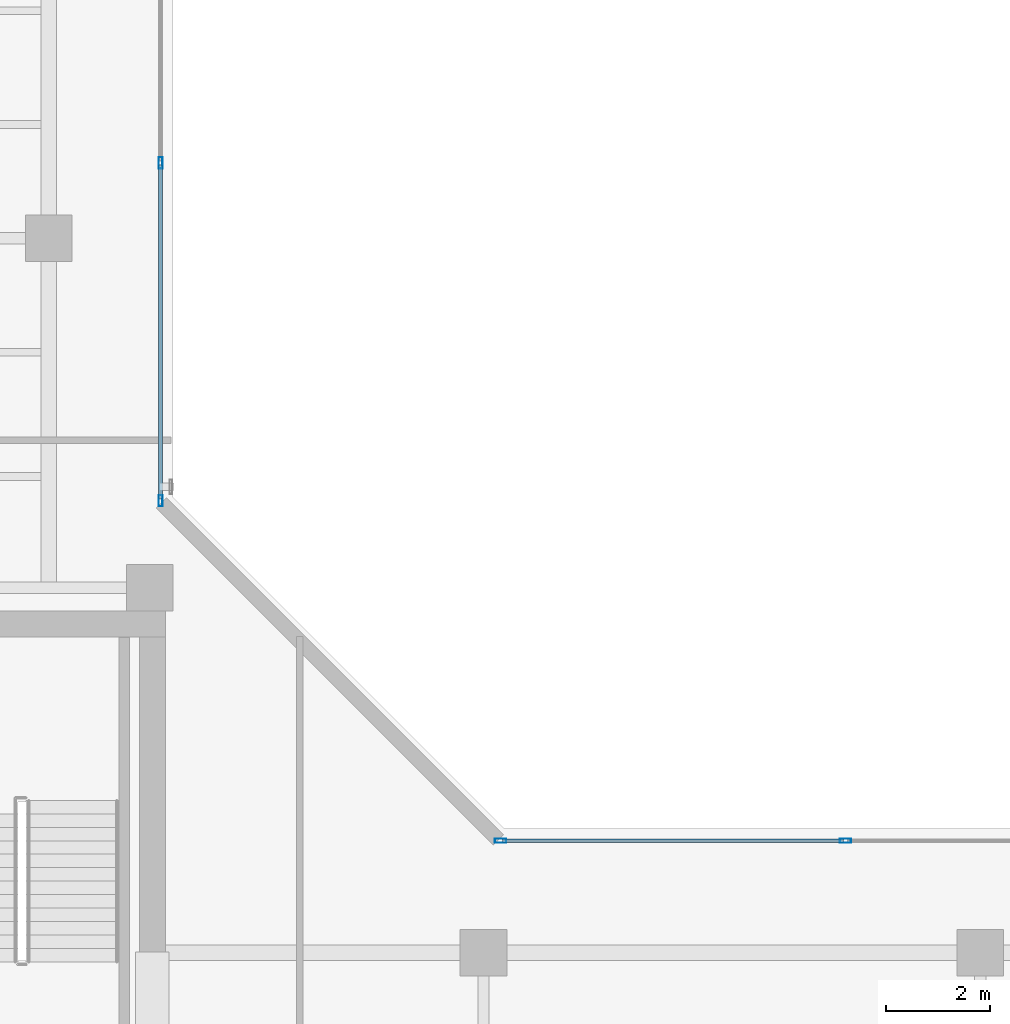
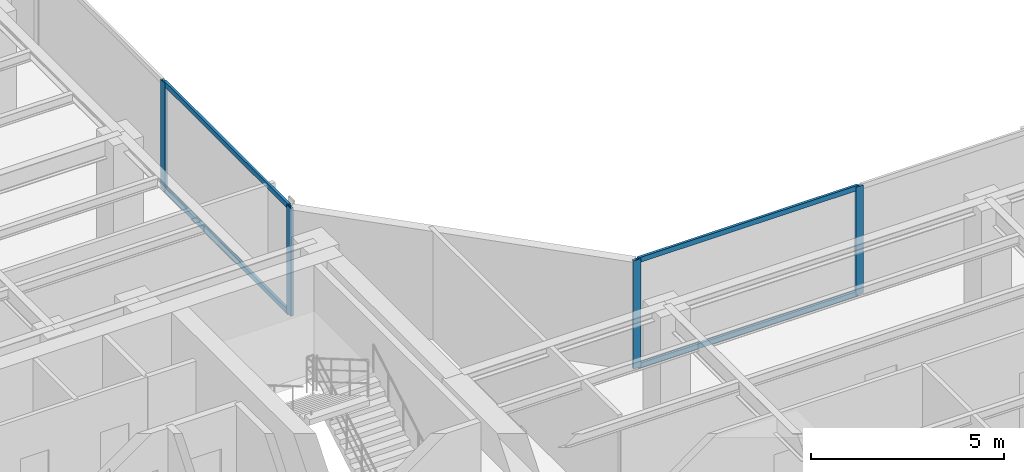
# One storey, part 9 of 23: 8 members, 2 elements without a shape of their own.
"""IFC4 building model written with IfcOpenShell, lengths in metres."""

from ifc_helpers import new_model, si_unit, direction, frame, origin, origin_with_axes, origin_2d, place, context, subcontext, project, spatial, hollow_rectangle, extrude, source, transform, mapped, material, layer, layer_set, material_profile, profile_set, type_object, element, aggregate, save


model = new_model("IFC4")

# Units and contexts
model_context = context("Model", 3, precision=1e-05, world=origin(), true_north=direction((0.0, 1.0)))
body_context = subcontext(model_context, "Body", "Model", "MODEL_VIEW")
ifc_project = project(units=[si_unit("LENGTHUNIT", "METRE"), si_unit("AREAUNIT", "SQUARE_METRE"), si_unit("VOLUMEUNIT", "CUBIC_METRE"), si_unit("PLANEANGLEUNIT", "RADIAN"), si_unit("MASSUNIT", "GRAM", prefix="KILO")], contexts=[model_context])

# Site, building, storey
site_placement = place(None, origin())
site = spatial("IfcSite", under=ifc_project, at=site_placement, CompositionType="ELEMENT")
building_placement = place(site_placement, origin())
building = spatial("IfcBuilding", under=site, at=building_placement, Name="Kolvaren Waterfront Exchange", CompositionType="ELEMENT")
storey_placement = place(building_placement, frame((0.0, 0.0, 335.0)))
storey = spatial("IfcBuildingStorey", under=building, at=storey_placement, Name="L86", CompositionType="ELEMENT", Elevation=335.0)

# Curtain wall, members
ifc_material_1 = material(Name="Anodised bronze aluminium 6063-T6", Category="aluminium")
ifc_layer = layer(ifc_material_1, 0.219970703125, Name="Anodised bronze aluminium 6063-T6")
ifc_layer_set = layer_set([ifc_layer], Name="Anodised bronze aluminium 6063-T6")
curtain_wall_type = type_object("IfcCurtainWallType", Name="ARC-CW-SYS1", PredefinedType="USERDEFINED", material=ifc_layer_set)
curtain_wall_1_placement = place(storey_placement, origin())
curtain_wall_1 = element("IfcCurtainWall", 1, at=curtain_wall_1_placement, inside=storey, type_object=curtain_wall_type, Name="L86 stick curtain wall CW1 (CW-L86-NE)", ObjectType="STICK CURTAIN WALL", PredefinedType="USERDEFINED")
ifc_material_2 = material(Name="Anodised aluminium 6063-T6", Category="aluminium")
ifc_material_profile_1 = material_profile(ifc_material_2, hollow_rectangle(XDim=0.080078125, YDim=0.219970703125, WallThickness=0.0048828125, at=origin_2d()), Name="ALU-MUL-220x80x5")
ifc_profile_set_1 = profile_set([ifc_material_profile_1], Name="Anodised aluminium 6063-T6")
member_type_1 = type_object("IfcMemberType", Name="ARC-CWM-220", PredefinedType="MULLION", material=ifc_profile_set_1)
shared_shape_1 = source(origin_with_axes(), body_context, "Body", "SweptSolid", [
    extrude(hollow_rectangle(XDim=0.080078125, YDim=0.219970703125, WallThickness=0.0048828125, at=origin_2d()), origin(), (0.0, 0.0, 1.0), 3.419921875),
])
member_1_placement = place(storey_placement, frame((20.9599609375, 26.1298828125, 0.0), z_axis=(0.0, 0.0, 1.0), x_axis=(-1.0, 0.0, 0.0)))
member_1 = element("IfcMember", 2, at=member_1_placement, type_object=member_type_1, Name="CW1 mullion 1", PredefinedType="MULLION", context=body_context, shape_type="MappedRepresentation", body=[
    mapped(shared_shape_1, transform((0.0, 0.0, 0.0), x_axis=(1.0, 0.0, 0.0), y_axis=(0.0, 1.0, 0.0), z_axis=(0.0, 0.0, 1.0), scale=1.0)),
])
member_2_placement = place(storey_placement, frame((20.9599609375, 32.659912109375, 0.0), z_axis=(0.0, 0.0, 1.0), x_axis=(-1.0, 0.0, 0.0)))
member_2 = element("IfcMember", 3, at=member_2_placement, type_object=member_type_1, Name="CW1 mullion 2", PredefinedType="MULLION", context=body_context, shape_type="MappedRepresentation", body=[
    mapped(shared_shape_1, transform((0.0, 0.0, 0.0), x_axis=(1.0, 0.0, 0.0), y_axis=(0.0, 1.0, 0.0), z_axis=(0.0, 0.0, 1.0), scale=1.0)),
])

curtain_wall_2_placement = place(storey_placement, origin())
curtain_wall_2 = element("IfcCurtainWall", 4, at=curtain_wall_2_placement, inside=storey, type_object=curtain_wall_type, Name="L86 stick curtain wall CW1 (CW-L86-EN)", ObjectType="STICK CURTAIN WALL", PredefinedType="USERDEFINED")
member_3_placement = place(storey_placement, frame((27.530029296875, 19.56005859375, 0.0), z_axis=(0.0, 0.0, 1.0), x_axis=(0.0, 1.0, 0.0)))
member_3 = element("IfcMember", 5, at=member_3_placement, type_object=member_type_1, Name="CW1 mullion 1", PredefinedType="MULLION", context=body_context, shape_type="MappedRepresentation", body=[
    mapped(shared_shape_1, transform((0.0, 0.0, 0.0), x_axis=(1.0, 0.0, 0.0), y_axis=(0.0, 1.0, 0.0), z_axis=(0.0, 0.0, 1.0), scale=1.0)),
])
member_4_placement = place(storey_placement, frame((34.193359375, 19.56005859375, 0.0), z_axis=(0.0, 0.0, 1.0), x_axis=(0.0, 1.0, 0.0)))
member_4 = element("IfcMember", 6, at=member_4_placement, type_object=member_type_1, Name="CW1 mullion 2", PredefinedType="MULLION", context=body_context, shape_type="MappedRepresentation", body=[
    mapped(shared_shape_1, transform((0.0, 0.0, 0.0), x_axis=(1.0, 0.0, 0.0), y_axis=(0.0, 1.0, 0.0), z_axis=(0.0, 0.0, 1.0), scale=1.0)),
])

# Member
ifc_material_profile_2 = material_profile(ifc_material_2, hollow_rectangle(XDim=0.074951171875, YDim=0.159912109375, WallThickness=0.00439453125, at=origin_2d()), Name="ALU-TRN-160x75x4.5")
ifc_profile_set_2 = profile_set([ifc_material_profile_2], Name="Anodised aluminium 6063-T6")
member_type_2 = type_object("IfcMemberType", Name="ARC-CWT-160", PredefinedType="USERDEFINED", material=ifc_profile_set_2)
shared_shape_2 = source(origin_with_axes(), body_context, "Body", "SweptSolid", [
    extrude(hollow_rectangle(XDim=0.074951171875, YDim=0.159912109375, WallThickness=0.00439453125, at=origin_2d()), origin(), (0.0, 0.0, 1.0), 6.4501953125),
])
member_5_placement = place(storey_placement, frame((20.9599609375, 26.169921875, 0.03759765625), z_axis=(0.0, 1.0, 0.0), x_axis=(-1.0, 0.0, 0.0)))
member_5 = element("IfcMember", 7, at=member_5_placement, type_object=member_type_2, Name="CW1 transom 1.1", ObjectType="TRANSOM", PredefinedType="USERDEFINED", context=body_context, shape_type="MappedRepresentation", body=[
    mapped(shared_shape_2, transform((0.0, 0.0, 0.0), x_axis=(1.0, 0.0, 0.0), y_axis=(0.0, 1.0, 0.0), z_axis=(0.0, 0.0, 1.0), scale=1.0)),
])

member_6_placement = place(storey_placement, frame((20.9599609375, 26.169921875, 3.382568359375), z_axis=(0.0, 1.0, 0.0), x_axis=(-1.0, 0.0, 0.0)))
member_6 = element("IfcMember", 8, at=member_6_placement, type_object=member_type_2, Name="CW1 transom 1.2", ObjectType="TRANSOM", PredefinedType="USERDEFINED", context=body_context, shape_type="MappedRepresentation", body=[
    mapped(shared_shape_2, transform((0.0, 0.0, 0.0), x_axis=(1.0, 0.0, 0.0), y_axis=(0.0, 1.0, 0.0), z_axis=(0.0, 0.0, 1.0), scale=1.0)),
])

aggregate(curtain_wall_1, [member_1, member_2, member_5, member_6])

shared_shape_3 = source(origin_with_axes(), body_context, "Body", "SweptSolid", [
    extrude(hollow_rectangle(XDim=0.074951171875, YDim=0.159912109375, WallThickness=0.00439453125, at=origin_2d()), origin(), (0.0, 0.0, 1.0), 6.583251953125),
])
member_7_placement = place(storey_placement, frame((27.570068359375, 19.56005859375, 0.03759765625), z_axis=(1.0, 0.0, 0.0), x_axis=(0.0, 1.0, 0.0)))
member_7 = element("IfcMember", 9, at=member_7_placement, type_object=member_type_2, Name="CW1 transom 1.1", ObjectType="TRANSOM", PredefinedType="USERDEFINED", context=body_context, shape_type="MappedRepresentation", body=[
    mapped(shared_shape_3, transform((0.0, 0.0, 0.0), x_axis=(1.0, 0.0, 0.0), y_axis=(0.0, 1.0, 0.0), z_axis=(0.0, 0.0, 1.0), scale=1.0)),
])

member_8_placement = place(storey_placement, frame((27.570068359375, 19.56005859375, 3.382568359375), z_axis=(1.0, 0.0, 0.0), x_axis=(0.0, 1.0, 0.0)))
member_8 = element("IfcMember", 10, at=member_8_placement, type_object=member_type_2, Name="CW1 transom 1.2", ObjectType="TRANSOM", PredefinedType="USERDEFINED", context=body_context, shape_type="MappedRepresentation", body=[
    mapped(shared_shape_3, transform((0.0, 0.0, 0.0), x_axis=(1.0, 0.0, 0.0), y_axis=(0.0, 1.0, 0.0), z_axis=(0.0, 0.0, 1.0), scale=1.0)),
])

aggregate(curtain_wall_2, [member_3, member_4, member_7, member_8])

save(model, "model.ifc")
